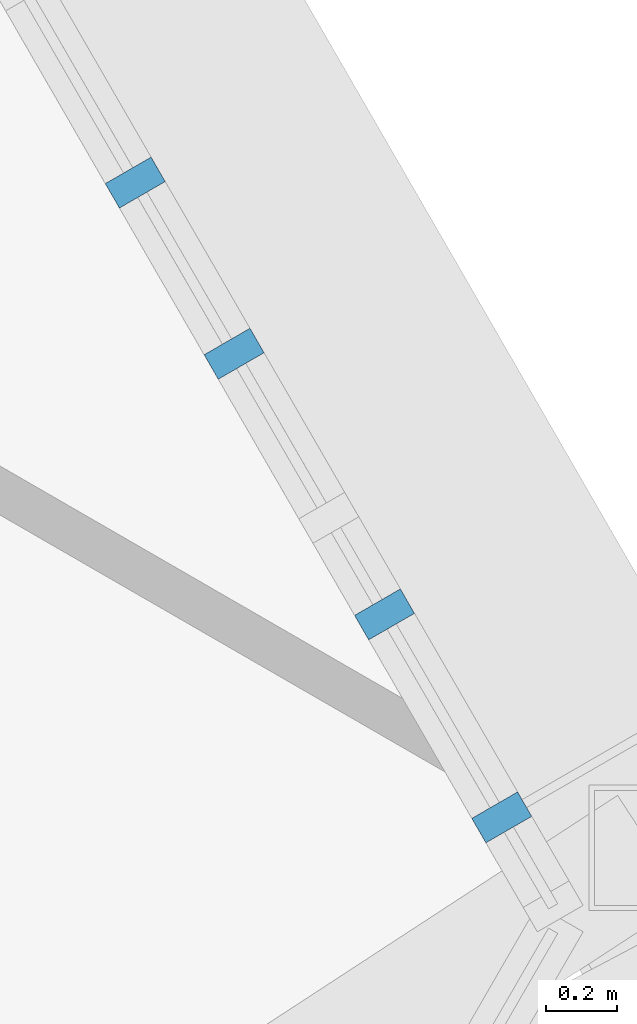
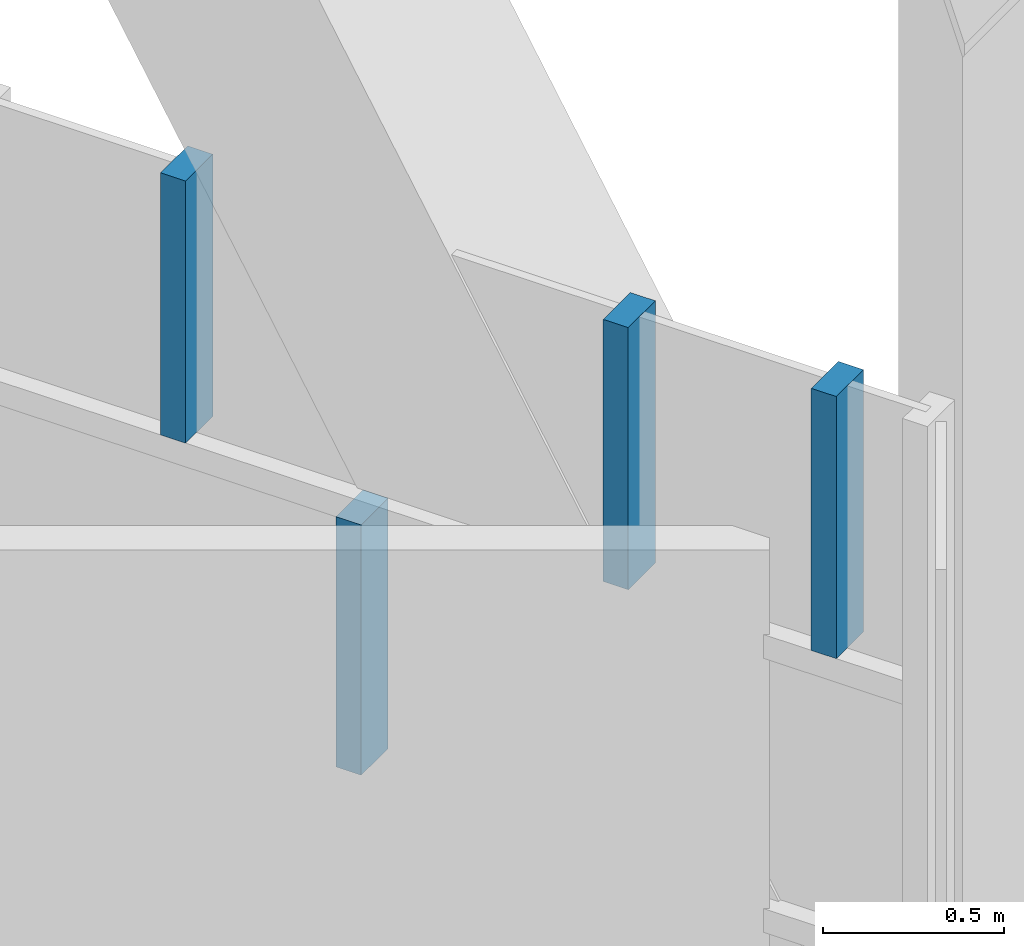
# One storey, part 11 of 23: 4 members, 1 element without a shape of its own.
"""IFC4 building model written with IfcOpenShell, lengths in metres."""

import ifcopenshell
import ifcopenshell.guid

model = None  # the IFC model being written
_history = None  # IfcOwnerHistory: only IFC2X3 demands one
_inside = {}  # id of a spatial element -> (the spatial element, [elements in it])
_under = {}  # id of a project, library or spatial element -> (it, [spatial elements below it])
_declared = {}  # id of a project -> (the project, [libraries it declares])
_typed = {}  # id of a type object -> (the type object, [elements of that type])
_made_of = {}  # id of a material, layer set ... -> (it, [elements and type objects made of it])


def new_model(schema):
    """Start an empty IFC model of exactly this schema.

    Asked for "IFC4X3", IfcOpenShell would pick the latest addendum, in which some entities
    have other attributes; the version numbers below select the first issue.
    IFC2X3 requires an IfcOwnerHistory on every rooted entity: one is made here for all.
    """
    global model, _history
    if schema == "IFC4X3":
        model = ifcopenshell.file(schema_version=(4, 3, 0, 0))
    else:
        model = ifcopenshell.file(schema=schema)
    _inside.clear()
    _under.clear()
    _declared.clear()
    _typed.clear()
    _made_of.clear()
    _history = None
    if model.schema == "IFC2X3":
        org = make("IfcOrganization", Name="unknown")
        user = make(
            "IfcPersonAndOrganization",
            ThePerson=make("IfcPerson", FamilyName="unknown"),
            TheOrganization=org,
        )
        app = make(
            "IfcApplication",
            ApplicationDeveloper=org,
            Version="unknown",
            ApplicationFullName="unknown",
            ApplicationIdentifier="unknown",
        )
        _history = make(
            "IfcOwnerHistory",
            OwningUser=user,
            OwningApplication=app,
            ChangeAction="ADDED",
            CreationDate=0,
        )
    return model


def make(cls, **values):
    """One entity of the class cls with the attributes given. An attribute that is None is left unset."""
    return model.create_entity(
        cls, **{name: value for name, value in values.items() if value is not None}
    )


def rooted(cls, **values):
    """An entity with a GlobalId (a new one), such as an element, a storey or a relation."""
    return make(cls, GlobalId=ifcopenshell.guid.new(), OwnerHistory=_history, **values)


def si_unit(unit_type, name, prefix=None):
    """IfcSIUnit, for example si_unit("LENGTHUNIT", "METRE", prefix="MILLI")."""
    return make("IfcSIUnit", UnitType=unit_type, Prefix=prefix, Name=name)


def assignment(units):
    """IfcUnitAssignment: the units of a project."""
    return None if units is None else make("IfcUnitAssignment", Units=units)


def point(xyz):
    """IfcCartesianPoint."""
    return None if xyz is None else make("IfcCartesianPoint", Coordinates=xyz)


def direction(xyz):
    """IfcDirection."""
    return None if xyz is None else make("IfcDirection", DirectionRatios=xyz)


def frame(location, z_axis=None, x_axis=None):
    """IfcAxis2Placement3D, a coordinate frame: its origin and axes. An axis left out is left unset."""
    return make(
        "IfcAxis2Placement3D",
        Location=point(location),
        Axis=direction(z_axis),
        RefDirection=direction(x_axis),
    )


def frame_2d(location, x_axis=None):
    """IfcAxis2Placement2D, a coordinate frame in the plane: its origin and x axis."""
    return make(
        "IfcAxis2Placement2D", Location=point(location), RefDirection=direction(x_axis)
    )


def origin():
    """The frame at (0, 0, 0) with its axes left unset."""
    return frame((0.0, 0.0, 0.0))


def origin_2d():
    """The frame at (0, 0) in the plane with its x axis left unset."""
    return frame_2d((0.0, 0.0))


def place(relative_to, where):
    """IfcLocalPlacement: puts the frame where relative to a parent placement (None: the world)."""
    return make(
        "IfcLocalPlacement", PlacementRelTo=relative_to, RelativePlacement=where
    )


def context(
    kind, dimensions, precision=None, world=None, true_north=None, identifier=None
):
    """IfcGeometricRepresentationContext, for example the 3D "Model" context."""
    return make(
        "IfcGeometricRepresentationContext",
        ContextIdentifier=identifier,
        ContextType=kind,
        CoordinateSpaceDimension=dimensions,
        Precision=precision,
        WorldCoordinateSystem=world,
        TrueNorth=true_north,
    )


def subcontext(parent, identifier, kind, view, scale=None):
    """IfcGeometricRepresentationSubContext, for example "Body" below "Model"."""
    return make(
        "IfcGeometricRepresentationSubContext",
        ContextIdentifier=identifier,
        ContextType=kind,
        ParentContext=parent,
        TargetScale=scale,
        TargetView=view,
    )


def project(units=None, contexts=None):
    """IfcProject with its units and contexts."""
    return rooted(
        "IfcProject",
        Name="project",
        RepresentationContexts=contexts,
        UnitsInContext=assignment(units),
    )


def spatial(cls, under=None, at=None, **own):
    """A site, building, storey or space (cls), placed at a placement, below another one or the project."""
    s = rooted(cls, ObjectPlacement=at, **own)
    if under is not None:
        _under.setdefault(under.id(), (under, []))[1].append(s)
    return s


def profile(cls, at=None, kind="AREA", **sizes):
    """A parametric profile (cls). Its sizes go by their IFC names, for example OverallWidth=200.0."""
    return make(cls, ProfileType=kind, Position=at, **sizes)


def rectangle(**sizes):
    """IfcRectangleProfileDef."""
    return profile("IfcRectangleProfileDef", **sizes)


def extrude(swept, where, along, depth):
    """IfcExtrudedAreaSolid: the profile swept, set in the frame where, extruded along a direction by depth."""
    return make(
        "IfcExtrudedAreaSolid",
        SweptArea=swept,
        Position=where,
        ExtrudedDirection=direction(along),
        Depth=depth,
    )


def shape(context_of_items, identifier, shape_type, items):
    """IfcShapeRepresentation: the items that make up one representation, for example the "Body"."""
    return make(
        "IfcShapeRepresentation",
        ContextOfItems=context_of_items,
        RepresentationIdentifier=identifier,
        RepresentationType=shape_type,
        Items=items,
    )


def material(Name=None, Category=None):
    """IfcMaterial."""
    return make("IfcMaterial", Name=Name, Category=Category)


def layer(
    of_material, thickness, ventilated=None, Name=None, Category=None, Priority=None
):
    """IfcMaterialLayer: one layer of a wall or slab, of a material (None: an air gap)."""
    return make(
        "IfcMaterialLayer",
        Material=of_material,
        LayerThickness=thickness,
        IsVentilated=ventilated,
        Name=Name,
        Category=Category,
        Priority=Priority,
    )


def layer_set(layers, Name=None):
    """IfcMaterialLayerSet."""
    return make("IfcMaterialLayerSet", MaterialLayers=layers, LayerSetName=Name)


def material_profile(
    of_material, cross_section, Name=None, Category=None, Priority=None
):
    """IfcMaterialProfile: a cross section and its material."""
    return make(
        "IfcMaterialProfile",
        Name=Name,
        Material=of_material,
        Profile=cross_section,
        Priority=Priority,
        Category=Category,
    )


def profile_set(profiles, Name=None, composite=None):
    """IfcMaterialProfileSet."""
    return make(
        "IfcMaterialProfileSet",
        Name=Name,
        MaterialProfiles=profiles,
        CompositeProfile=composite,
    )


def made_of(thing, what):
    """Note that an element or type object is made of a material, layer set ...; save() writes the relation."""
    if what is not None:
        _made_of.setdefault(what.id(), (what, []))[1].append(thing)
    return thing


def type_object(cls, material=None, **own):
    """A type object (cls), such as IfcWallType, which elements share."""
    return made_of(rooted(cls, **own), material)


def element(
    cls,
    number,
    at=None,
    inside=None,
    cuts=None,
    type_object=None,
    material=None,
    context=None,
    identifier="Body",
    shape_type=None,
    held_by="IfcProductDefinitionShape",
    body=None,
    shapes=None,
    **own,
):
    """One element of the class cls, such as IfcWall. Its Tag is "e" and its number.

    at: its placement. inside: the storey or other place that contains it. cuts: it is an
    opening in that element (IfcRelVoidsElement). A single representation is given by context,
    identifier, shape_type and body (its items); several are given by shapes. held_by: the class
    of the entity that holds the representations. save() writes the other relations.
    """
    e = rooted(cls, Tag="e%d" % number, ObjectPlacement=at, **own)
    if body is not None:
        shapes = [shape(context, identifier, shape_type, body)]
    if shapes is not None:
        e.Representation = make(held_by, Representations=shapes)
    if inside is not None:
        _inside.setdefault(inside.id(), (inside, []))[1].append(e)
    if cuts is not None:
        rooted(
            "IfcRelVoidsElement", RelatingBuildingElement=cuts, RelatedOpeningElement=e
        )
    if type_object is not None:
        _typed.setdefault(type_object.id(), (type_object, []))[1].append(e)
    return made_of(e, material)


def aggregate(whole, parts):
    """IfcRelAggregates: a whole, such as a stair, and the parts it consists of."""
    return rooted("IfcRelAggregates", RelatingObject=whole, RelatedObjects=parts)


def save(model, path):
    """Write the relations noted so far, then the file.

    IfcRelAggregates (storeys below a building ...), IfcRelContainedInSpatialStructure (elements
    in a storey), IfcRelDefinesByType, IfcRelAssociatesMaterial and IfcRelDeclares: one each for
    every whole, place, type object, material and project.
    """
    for whole, parts in _under.values():
        aggregate(whole, parts)
    for where, things in _inside.values():
        rooted(
            "IfcRelContainedInSpatialStructure",
            RelatedElements=things,
            RelatingStructure=where,
        )
    for kind, things in _typed.values():
        rooted("IfcRelDefinesByType", RelatedObjects=things, RelatingType=kind)
    for what, things in _made_of.values():
        rooted("IfcRelAssociatesMaterial", RelatedObjects=things, RelatingMaterial=what)
    for by, libraries in _declared.values():
        rooted("IfcRelDeclares", RelatingContext=by, RelatedDefinitions=libraries)
    model.write(path)


model = new_model("IFC4")

# Units and contexts
model_context = context("Model", 3, precision=1e-05, world=origin(), true_north=direction((0.0, 1.0)))
body_context = subcontext(model_context, "Body", "Model", "MODEL_VIEW")
ifc_project = project(units=[si_unit("LENGTHUNIT", "METRE"), si_unit("AREAUNIT", "SQUARE_METRE"), si_unit("VOLUMEUNIT", "CUBIC_METRE"), si_unit("PLANEANGLEUNIT", "RADIAN"), si_unit("MASSUNIT", "GRAM", prefix="KILO")], contexts=[model_context])

# Site, building, storey
site_placement = place(None, origin())
site = spatial("IfcSite", under=ifc_project, at=site_placement, CompositionType="ELEMENT")
building_placement = place(site_placement, origin())
building = spatial("IfcBuilding", under=site, at=building_placement, Name="Firuza Gate Tower and Library", CompositionType="ELEMENT")
storey_placement = place(building_placement, frame((0.0, 0.0, 302.10009765625)))
storey = spatial("IfcBuildingStorey", under=building, at=storey_placement, Name="L73", CompositionType="ELEMENT", Elevation=302.10009765625)

# Curtain wall, members
ifc_material_1 = material(Name="Aluminium 6063-T6", Category="aluminium")
ifc_layer = layer(ifc_material_1, 0.14990234375)
ifc_layer_set = layer_set([ifc_layer], Name="Unitised curtain wall, residences")
curtain_wall_type = type_object("IfcCurtainWallType", Name="Unitised curtain wall, residences", PredefinedType="NOTDEFINED", material=ifc_layer_set)
curtain_wall_placement = place(storey_placement, origin())
curtain_wall = element("IfcCurtainWall", 1, at=curtain_wall_placement, inside=storey, type_object=curtain_wall_type, Name="CW3 L73 E face", PredefinedType="NOTDEFINED")
ifc_material_2 = material(Name="Aluminium 6063-T6", Category="aluminium")
ifc_material_profile = material_profile(ifc_material_2, rectangle(XDim=0.14990234375, YDim=0.080078125, at=origin_2d()))
ifc_profile_set = profile_set([ifc_material_profile], Name="Aluminium 6063-T6")
member_type = type_object("IfcMemberType", Name="Curtain wall mullion 80x150", PredefinedType="MULLION", material=ifc_profile_set)
member_1_placement = place(storey_placement, frame((99.098388671875, 66.361083984375, 1.489990234375), z_axis=(0.0, 0.0, 1.0), x_axis=(-0.866025403784, -0.5, 0.0)))
member_1 = element("IfcMember", 2, at=member_1_placement, type_object=member_type, Name="Mullion", PredefinedType="MULLION", context=body_context, shape_type="SweptSolid", body=[
    extrude(rectangle(XDim=0.14990234375, YDim=0.080078125, at=origin_2d()), origin(), (0.0, 0.0, 1.0), 0.844970703125),
])
member_2_placement = place(storey_placement, frame((99.85693359375, 65.046875, 2.414794921875), z_axis=(0.0, 0.0, 1.0), x_axis=(-0.866025403784, -0.5, 0.0)))
member_2 = element("IfcMember", 3, at=member_2_placement, type_object=member_type, Name="Mullion", PredefinedType="MULLION", context=body_context, shape_type="SweptSolid", body=[
    extrude(rectangle(XDim=0.14990234375, YDim=0.080078125, at=origin_2d()), origin(), (0.0, 0.0, 1.0), 0.885009765625),
])
member_3_placement = place(storey_placement, frame((99.524658203125, 65.622314453125, 2.414794921875), z_axis=(0.0, 0.0, 1.0), x_axis=(-0.866025403784, -0.5, 0.0)))
member_3 = element("IfcMember", 4, at=member_3_placement, type_object=member_type, Name="Mullion", PredefinedType="MULLION", context=body_context, shape_type="SweptSolid", body=[
    extrude(rectangle(XDim=0.14990234375, YDim=0.080078125, at=origin_2d()), origin(), (0.0, 0.0, 1.0), 0.885009765625),
])
member_4_placement = place(storey_placement, frame((98.818115234375, 66.84619140625, 2.414794921875), z_axis=(0.0, 0.0, 1.0), x_axis=(-0.866025403784, -0.5, 0.0)))
member_4 = element("IfcMember", 5, at=member_4_placement, type_object=member_type, Name="Mullion", PredefinedType="MULLION", context=body_context, shape_type="SweptSolid", body=[
    extrude(rectangle(XDim=0.14990234375, YDim=0.080078125, at=origin_2d()), origin(), (0.0, 0.0, 1.0), 0.885009765625),
])
aggregate(curtain_wall, [member_1, member_2, member_3, member_4])

save(model, "model.ifc")
